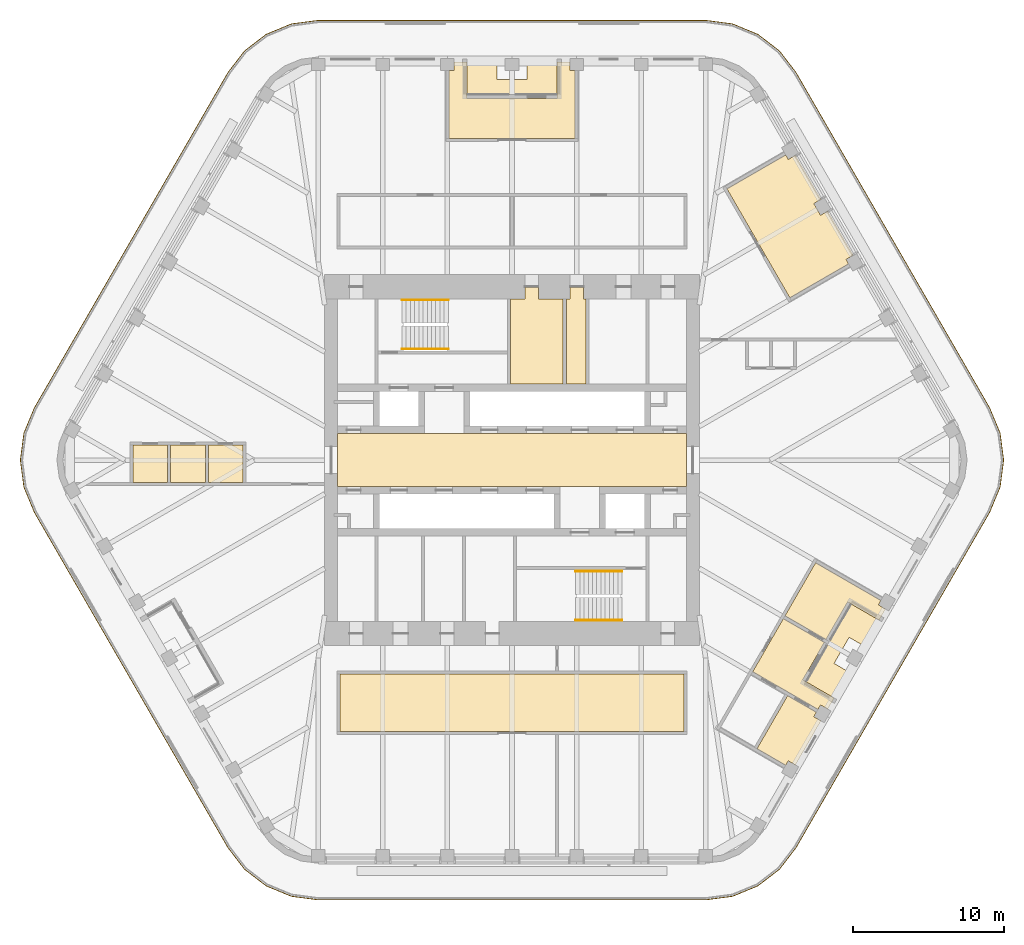
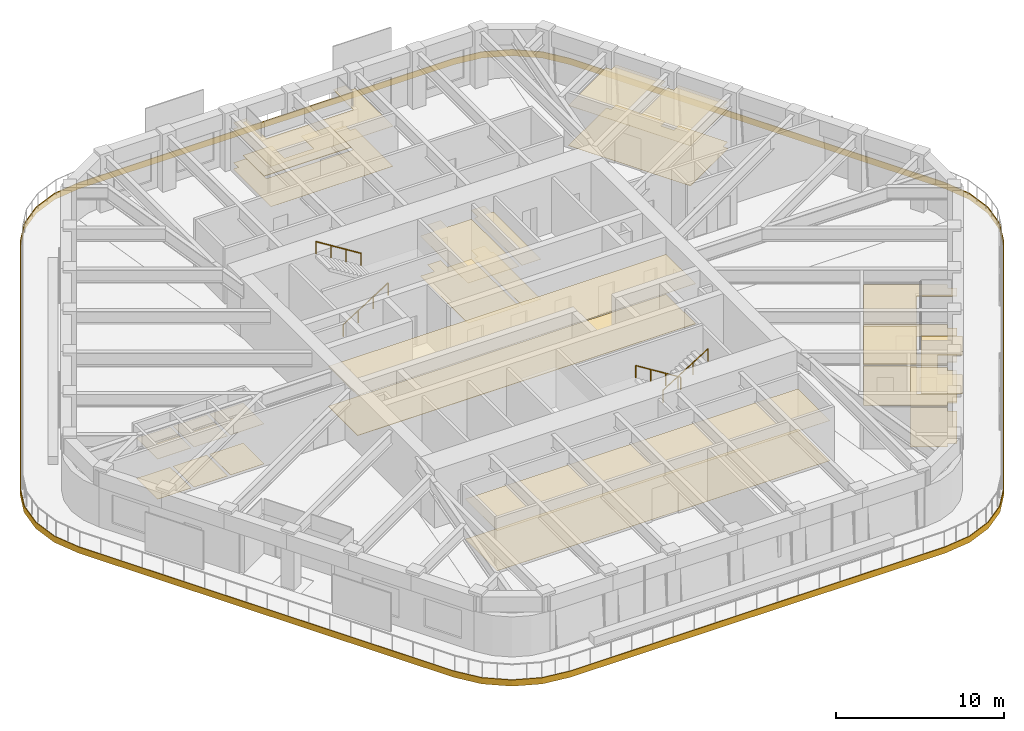
# One storey, part 18 of 19: 11 coverings, 4 railings.
"""IFC4 building model written with IfcOpenShell, lengths in metres."""

from ifc_helpers import new_model, si_unit, direction, frame, origin, origin_2d, place, context, subcontext, project, spatial, polyline, circle, outline, extrude, material, layer, layer_set, type_object, element, save


model = new_model("IFC4")

# Units and contexts
model_context = context("Model", 3, precision=1e-05, world=origin(), true_north=direction((0.0, 1.0)))
body_context = subcontext(model_context, "Body", "Model", "MODEL_VIEW")
ifc_project = project(units=[si_unit("LENGTHUNIT", "METRE"), si_unit("AREAUNIT", "SQUARE_METRE"), si_unit("VOLUMEUNIT", "CUBIC_METRE"), si_unit("PLANEANGLEUNIT", "RADIAN"), si_unit("MASSUNIT", "GRAM", prefix="KILO")], contexts=[model_context])

# Site, building, storey
site_placement = place(None, origin())
site = spatial("IfcSite", under=ifc_project, at=site_placement, CompositionType="ELEMENT")
building_placement = place(site_placement, origin())
building = spatial("IfcBuilding", under=site, at=building_placement, Name="Tarfa Lantern Tower", CompositionType="ELEMENT")
storey_placement = place(building_placement, frame((0.0, 0.0, 361.89990234375)))
storey = spatial("IfcBuildingStorey", under=building, at=storey_placement, Name="L82", CompositionType="ELEMENT", Elevation=361.89990234375)

# Coverings
ifc_material_1 = material(Name="Mineral fibre acoustic tile on suspension grid", Category="finish")
ifc_layer_1 = layer(ifc_material_1, 0.02001953125)
ifc_layer_set_1 = layer_set([ifc_layer_1], Name="CL1 ACOUSTIC TILE CEILING 20")
covering_type_1 = type_object("IfcCoveringType", Name="CL1 ACOUSTIC TILE CEILING 20", PredefinedType="CEILING", material=ifc_layer_set_1)
covering_1_placement = place(storey_placement, frame((0.0, 0.0, 2.900146484375)))
element("IfcCovering", 1, at=covering_1_placement, inside=storey, type_object=covering_type_1, Name="Ceiling L82 CL1", PredefinedType="CEILING", context=body_context, shape_type="SweptSolid", body=[
    extrude(outline(polyline([(4.18212890625, 21.35009765625), (-4.18212890625, 21.35009765625), (-4.18212890625, 25.85009765625), (-3.83203125, 25.85009765625), (-3.83203125, 26.39990234375), (-2.98193359375, 26.39990234375), (-2.98193359375, 24.0), (2.98193359375, 24.0), (2.98193359375, 26.39990234375), (3.83203125, 26.39990234375), (3.83203125, 25.85009765625), (4.18212890625, 25.85009765625), (4.18212890625, 21.35009765625)])), origin(), (0.0, 0.0, 1.0), 0.02001953125),
    extrude(outline(polyline([(14.257568359375, 18.005126953125), (18.15478515625, 20.255126953125), (18.329833984375, 19.951904296875), (18.80615234375, 20.22705078125), (20.4970703125, 17.298095703125), (20.020751953125, 17.02294921875), (20.470703125, 16.24365234375), (20.947021484375, 16.5185546875), (22.63818359375, 13.589599609375), (22.161865234375, 13.314697265625), (22.336669921875, 13.01171875), (18.439697265625, 10.76171875), (14.257568359375, 18.005126953125)])), origin(), (0.0, 0.0, 1.0), 0.02001953125),
    extrude(outline(polyline([(16.24951171875, -19.155029296875), (18.29052734375, -15.619873046875), (20.19580078125, -16.719970703125), (20.020751953125, -17.02294921875), (20.4970703125, -17.298095703125), (18.80615234375, -20.22705078125), (18.329833984375, -19.951904296875), (18.15478515625, -20.255126953125), (16.24951171875, -19.155029296875)])), origin(), (0.0, 0.0, 1.0), 0.02001953125),
    extrude(outline(polyline([(18.006591796875, -10.51171875), (20.734619140625, -12.086669921875), (19.293701171875, -14.58251953125), (21.3720703125, -15.782470703125), (20.947021484375, -16.5185546875), (20.470703125, -16.24365234375), (20.295654296875, -16.546630859375), (15.965576171875, -14.046630859375), (18.006591796875, -10.51171875)])), origin(), (0.0, 0.0, 1.0), 0.02001953125),
    extrude(outline(polyline([(-20.150146484375, 1.0), (-17.85009765625, 1.0), (-17.85009765625, -1.5), (-20.150146484375, -1.5), (-20.150146484375, 1.0)])), origin(), (0.0, 0.0, 1.0), 0.02001953125),
    extrude(outline(polyline([(-22.650146484375, 1.0), (-20.35009765625, 1.0), (-20.35009765625, -1.5), (-22.650146484375, -1.5), (-22.650146484375, 1.0)])), origin(), (0.0, 0.0, 1.0), 0.02001953125),
    extrude(outline(polyline([(-25.150146484375, 1.0), (-22.85009765625, 1.0), (-22.85009765625, -1.5), (-25.150146484375, -1.5), (-25.150146484375, 1.0)])), origin(), (0.0, 0.0, 1.0), 0.02001953125),
    extrude(outline(polyline([(-11.39990234375, -14.199951171875), (11.39990234375, -14.199951171875), (11.39990234375, -18.0), (-11.39990234375, -18.0), (-11.39990234375, -14.199951171875)])), origin(), (0.0, 0.0, 1.0), 0.02001953125),
    extrude(outline(polyline([(20.147705078125, -6.80322265625), (24.477783203125, -9.30322265625), (24.302734375, -9.6064453125), (24.779052734375, -9.88134765625), (24.35400390625, -10.617431640625), (22.275634765625, -9.41748046875), (20.834716796875, -11.913330078125), (18.106689453125, -10.33837890625), (20.147705078125, -6.80322265625)])), origin(), (0.0, 0.0, 1.0), 0.02001953125),
])
ifc_material_2 = material(Name="Moisture-resistant plasterboard", Category="finish")
ifc_layer_2 = layer(ifc_material_2, 0.014892578125)
ifc_layer_set_2 = layer_set([ifc_layer_2], Name="CL2 MOISTURE-RESISTANT PLASTERBOARD CEILING 15")
covering_type_2 = type_object("IfcCoveringType", Name="CL2 MOISTURE-RESISTANT PLASTERBOARD CEILING 15", PredefinedType="CEILING", material=ifc_layer_set_2)
covering_2_placement = place(storey_placement, frame((0.0, 0.0, 2.900146484375)))
element("IfcCovering", 2, at=covering_2_placement, inside=storey, type_object=covering_type_2, Name="Ceiling L82-05", PredefinedType="CEILING", context=body_context, shape_type="SweptSolid", body=[
    extrude(outline(polyline([(0.85009765625, 10.699951171875), (-0.10009765625, 10.699951171875), (-0.10009765625, 5.050048828125), (3.39990234375, 5.050048828125), (3.39990234375, 10.699951171875), (1.75, 10.699951171875), (1.75, 11.5), (0.85009765625, 11.5), (0.85009765625, 11.5), (0.85009765625, 10.699951171875)])), origin(), (0.0, 0.0, 1.0), 0.014892578125),
])
covering_3_placement = place(storey_placement, frame((0.0, 0.0, 2.900146484375)))
element("IfcCovering", 3, at=covering_3_placement, inside=storey, type_object=covering_type_2, Name="Ceiling L82-06", PredefinedType="CEILING", context=body_context, shape_type="SweptSolid", body=[
    extrude(outline(polyline([(3.60009765625, 5.050048828125), (4.89990234375, 5.050048828125), (4.89990234375, 10.699951171875), (4.75, 10.699951171875), (4.75, 11.5), (3.85009765625, 11.5), (3.85009765625, 10.699951171875), (3.60009765625, 10.699951171875), (3.60009765625, 5.050048828125)])), origin(), (0.0, 0.0, 1.0), 0.014892578125),
])
ifc_material_3 = material(Name="Powder-coated aluminium panel", Category="aluminium")
ifc_layer_3 = layer(ifc_material_3, 0.030029296875)
ifc_layer_set_3 = layer_set([ifc_layer_3], Name="CL3 METAL PANEL CEILING 30")
covering_type_3 = type_object("IfcCoveringType", Name="CL3 METAL PANEL CEILING 30", PredefinedType="CEILING", material=ifc_layer_set_3)
covering_4_placement = place(storey_placement, frame((0.0, 0.0, 2.900146484375)))
element("IfcCovering", 4, at=covering_4_placement, inside=storey, type_object=covering_type_3, Name="Ceiling L82-01", PredefinedType="CEILING", context=body_context, shape_type="SweptSolid", body=[
    extrude(outline(polyline([(-11.574951171875, -1.75), (11.574951171875, -1.75), (11.574951171875, 1.75), (-11.574951171875, 1.75), (-11.574951171875, -1.75)])), origin(), (0.0, 0.0, 1.0), 0.030029296875),
])
ifc_material_4 = material(Name="Nylon carpet tile", Category="finish")
ifc_layer_4 = layer(ifc_material_4, 0.010009765625)
ifc_layer_set_4 = layer_set([ifc_layer_4], Name="FL1 CARPET TILE 10")
covering_type_4 = type_object("IfcCoveringType", Name="FL1 CARPET TILE 10", PredefinedType="FLOORING", material=ifc_layer_set_4)
covering_5_placement = place(storey_placement, origin())
element("IfcCovering", 5, at=covering_5_placement, inside=storey, type_object=covering_type_4, Name="Floor finish L82 FL1", PredefinedType="FLOORING", context=body_context, shape_type="SweptSolid", body=[
    extrude(outline(polyline([(4.18212890625, 21.35009765625), (-4.18212890625, 21.35009765625), (-4.18212890625, 25.85009765625), (-3.83203125, 25.85009765625), (-3.83203125, 26.39990234375), (-2.98193359375, 26.39990234375), (-2.98193359375, 24.0), (2.98193359375, 24.0), (2.98193359375, 26.39990234375), (3.83203125, 26.39990234375), (3.83203125, 25.85009765625), (4.18212890625, 25.85009765625), (4.18212890625, 21.35009765625)])), origin(), (0.0, 0.0, 1.0), 0.010009765625),
    extrude(outline(polyline([(14.257568359375, 18.005126953125), (18.15478515625, 20.255126953125), (18.329833984375, 19.951904296875), (18.80615234375, 20.22705078125), (20.4970703125, 17.298095703125), (20.020751953125, 17.02294921875), (20.470703125, 16.24365234375), (20.947021484375, 16.5185546875), (22.63818359375, 13.589599609375), (22.161865234375, 13.314697265625), (22.336669921875, 13.01171875), (18.439697265625, 10.76171875), (14.257568359375, 18.005126953125)])), origin(), (0.0, 0.0, 1.0), 0.010009765625),
    extrude(outline(polyline([(16.24951171875, -19.155029296875), (18.29052734375, -15.619873046875), (20.19580078125, -16.719970703125), (20.020751953125, -17.02294921875), (20.4970703125, -17.298095703125), (18.80615234375, -20.22705078125), (18.329833984375, -19.951904296875), (18.15478515625, -20.255126953125), (16.24951171875, -19.155029296875)])), origin(), (0.0, 0.0, 1.0), 0.010009765625),
    extrude(outline(polyline([(18.006591796875, -10.51171875), (20.734619140625, -12.086669921875), (19.293701171875, -14.58251953125), (21.3720703125, -15.782470703125), (20.947021484375, -16.5185546875), (20.470703125, -16.24365234375), (20.295654296875, -16.546630859375), (15.965576171875, -14.046630859375), (18.006591796875, -10.51171875)])), origin(), (0.0, 0.0, 1.0), 0.010009765625),
    extrude(outline(polyline([(-20.150146484375, 1.0), (-17.85009765625, 1.0), (-17.85009765625, -1.5), (-20.150146484375, -1.5), (-20.150146484375, 1.0)])), origin(), (0.0, 0.0, 1.0), 0.010009765625),
    extrude(outline(polyline([(-22.650146484375, 1.0), (-20.35009765625, 1.0), (-20.35009765625, -1.5), (-22.650146484375, -1.5), (-22.650146484375, 1.0)])), origin(), (0.0, 0.0, 1.0), 0.010009765625),
    extrude(outline(polyline([(-25.150146484375, 1.0), (-22.85009765625, 1.0), (-22.85009765625, -1.5), (-25.150146484375, -1.5), (-25.150146484375, 1.0)])), origin(), (0.0, 0.0, 1.0), 0.010009765625),
    extrude(outline(polyline([(-11.39990234375, -14.199951171875), (11.39990234375, -14.199951171875), (11.39990234375, -18.0), (-11.39990234375, -18.0), (-11.39990234375, -14.199951171875)])), origin(), (0.0, 0.0, 1.0), 0.010009765625),
    extrude(outline(polyline([(20.147705078125, -6.80322265625), (24.477783203125, -9.30322265625), (24.302734375, -9.6064453125), (24.779052734375, -9.88134765625), (24.35400390625, -10.617431640625), (22.275634765625, -9.41748046875), (20.834716796875, -11.913330078125), (18.106689453125, -10.33837890625), (20.147705078125, -6.80322265625)])), origin(), (0.0, 0.0, 1.0), 0.010009765625),
])
ifc_material_5 = material(Name="Honed limestone flooring", Category="masonry")
ifc_layer_5 = layer(ifc_material_5, 0.030029296875)
ifc_layer_set_5 = layer_set([ifc_layer_5], Name="FL2 STONE FLOORING 30")
covering_type_5 = type_object("IfcCoveringType", Name="FL2 STONE FLOORING 30", PredefinedType="FLOORING", material=ifc_layer_set_5)
covering_6_placement = place(storey_placement, origin())
element("IfcCovering", 6, at=covering_6_placement, inside=storey, type_object=covering_type_5, Name="Floor finish L82-01", PredefinedType="FLOORING", context=body_context, shape_type="SweptSolid", body=[
    extrude(outline(polyline([(-11.574951171875, -1.75), (11.574951171875, -1.75), (11.574951171875, 1.75), (-11.574951171875, 1.75), (-11.574951171875, -1.75)])), origin(), (0.0, 0.0, 1.0), 0.030029296875),
])
ifc_material_6 = material(Name="Porcelain floor tile", Category="finish")
ifc_layer_6 = layer(ifc_material_6, 0.011962890625)
ifc_layer_set_6 = layer_set([ifc_layer_6], Name="FL3 CERAMIC TILE 12")
covering_type_6 = type_object("IfcCoveringType", Name="FL3 CERAMIC TILE 12", PredefinedType="FLOORING", material=ifc_layer_set_6)
covering_7_placement = place(storey_placement, origin())
element("IfcCovering", 7, at=covering_7_placement, inside=storey, type_object=covering_type_6, Name="Floor finish L82-05", PredefinedType="FLOORING", context=body_context, shape_type="SweptSolid", body=[
    extrude(outline(polyline([(0.85009765625, 10.699951171875), (-0.10009765625, 10.699951171875), (-0.10009765625, 5.050048828125), (3.39990234375, 5.050048828125), (3.39990234375, 10.699951171875), (1.75, 10.699951171875), (1.75, 11.5), (0.85009765625, 11.5), (0.85009765625, 11.5), (0.85009765625, 10.699951171875)])), origin(), (0.0, 0.0, 1.0), 0.01220703125),
])
covering_8_placement = place(storey_placement, origin())
element("IfcCovering", 8, at=covering_8_placement, inside=storey, type_object=covering_type_6, Name="Floor finish L82-06", PredefinedType="FLOORING", context=body_context, shape_type="SweptSolid", body=[
    extrude(outline(polyline([(3.60009765625, 5.050048828125), (4.89990234375, 5.050048828125), (4.89990234375, 10.699951171875), (4.75, 10.699951171875), (4.75, 11.5), (3.85009765625, 11.5), (3.85009765625, 10.699951171875), (3.60009765625, 10.699951171875), (3.60009765625, 5.050048828125)])), origin(), (0.0, 0.0, 1.0), 0.01220703125),
])

# Railings
ifc_material_7 = material(Name="Stainless steel", Category="steel")
railing_type = type_object("IfcRailingType", Name="HR1 HANDRAIL 900", PredefinedType="HANDRAIL", material=ifc_material_7)
railing_1_placement = place(storey_placement, frame((-7.300048828125, 7.3798828125, 0.175048828125)))
element("IfcRailing", 9, at=railing_1_placement, inside=storey, type_object=railing_type, Name="Handrail 1", PredefinedType="HANDRAIL", context=body_context, shape_type="SweptSolid", body=[
    extrude(circle(Radius=0.02392578125, at=origin_2d()), frame((0.0, 0.0, 0.8759765625), z_axis=(0.847998304005, 0.0, 0.529998940003), x_axis=(0.0, 1.0, 0.0)), (0.0, 0.0, 1.0), 3.632080078125),
    extrude(circle(Radius=0.02099609375, at=origin_2d()), frame((0.0, 0.0, 0.0), z_axis=(0.0, 0.0, 1.0), x_axis=(0.0, 1.0, 0.0)), (0.0, 0.0, 1.0), 0.851806640625),
    extrude(circle(Radius=0.02099609375, at=origin_2d()), frame((1.026611328125, 0.0, 0.6416015625), z_axis=(0.0, 0.0, 1.0), x_axis=(0.0, 1.0, 0.0)), (0.0, 0.0, 1.0), 0.851806640625),
    extrude(circle(Radius=0.02099609375, at=origin_2d()), frame((2.053466796875, 0.0, 1.283447265625), z_axis=(0.0, 0.0, 1.0), x_axis=(0.0, 1.0, 0.0)), (0.0, 0.0, 1.0), 0.851806640625),
    extrude(circle(Radius=0.02099609375, at=origin_2d()), frame((3.080078125, 0.0, 1.925048828125), z_axis=(0.0, 0.0, 1.0), x_axis=(0.0, 1.0, 0.0)), (0.0, 0.0, 1.0), 0.851806640625),
])
for number, where, name in (
    (10, (-4.219970703125, 10.6201171875, 2.275146484375), "Handrail 2"),
    (11, (7.300048828125, -7.3798828125, 0.175048828125), "Handrail 1"),
):
    element("IfcRailing", number, at=place(storey_placement, frame(where)), inside=storey, type_object=railing_type, Name=name, PredefinedType="HANDRAIL", context=body_context, shape_type="SweptSolid", body=[
        extrude(circle(Radius=0.02392578125, at=origin_2d()), frame((0.0, 0.0, 0.8759765625), z_axis=(-0.847998304005, 0.0, 0.529998940003), x_axis=(0.0, -1.0, 0.0)), (0.0, 0.0, 1.0), 3.632080078125),
        extrude(circle(Radius=0.02099609375, at=origin_2d()), frame((0.0, 0.0, 0.0), z_axis=(0.0, 0.0, 1.0), x_axis=(0.0, -1.0, 0.0)), (0.0, 0.0, 1.0), 0.851806640625),
        extrude(circle(Radius=0.02099609375, at=origin_2d()), frame((-1.026611328125, 0.0, 0.6416015625), z_axis=(0.0, 0.0, 1.0), x_axis=(0.0, -1.0, 0.0)), (0.0, 0.0, 1.0), 0.851806640625),
        extrude(circle(Radius=0.02099609375, at=origin_2d()), frame((-2.053466796875, 0.0, 1.283447265625), z_axis=(0.0, 0.0, 1.0), x_axis=(0.0, -1.0, 0.0)), (0.0, 0.0, 1.0), 0.851806640625),
        extrude(circle(Radius=0.02099609375, at=origin_2d()), frame((-3.080078125, 0.0, 1.925048828125), z_axis=(0.0, 0.0, 1.0), x_axis=(0.0, -1.0, 0.0)), (0.0, 0.0, 1.0), 0.851806640625),
    ])
railing_2_placement = place(storey_placement, frame((4.219970703125, -10.6201171875, 2.275146484375)))
element("IfcRailing", 12, at=railing_2_placement, inside=storey, type_object=railing_type, Name="Handrail 2", PredefinedType="HANDRAIL", context=body_context, shape_type="SweptSolid", body=[
    extrude(circle(Radius=0.02392578125, at=origin_2d()), frame((0.0, 0.0, 0.8759765625), z_axis=(0.847998304005, 0.0, 0.529998940003), x_axis=(0.0, 1.0, 0.0)), (0.0, 0.0, 1.0), 3.632080078125),
    extrude(circle(Radius=0.02099609375, at=origin_2d()), frame((0.0, 0.0, 0.0), z_axis=(0.0, 0.0, 1.0), x_axis=(0.0, 1.0, 0.0)), (0.0, 0.0, 1.0), 0.851806640625),
    extrude(circle(Radius=0.02099609375, at=origin_2d()), frame((1.026611328125, 0.0, 0.6416015625), z_axis=(0.0, 0.0, 1.0), x_axis=(0.0, 1.0, 0.0)), (0.0, 0.0, 1.0), 0.851806640625),
    extrude(circle(Radius=0.02099609375, at=origin_2d()), frame((2.053466796875, 0.0, 1.283447265625), z_axis=(0.0, 0.0, 1.0), x_axis=(0.0, 1.0, 0.0)), (0.0, 0.0, 1.0), 0.851806640625),
    extrude(circle(Radius=0.02099609375, at=origin_2d()), frame((3.080078125, 0.0, 1.925048828125), z_axis=(0.0, 0.0, 1.0), x_axis=(0.0, 1.0, 0.0)), (0.0, 0.0, 1.0), 0.851806640625),
])

# Coverings
ifc_material_8 = material(Name="Porcelain pavers on pedestals", Category="ceramic")
ifc_layer_7 = layer(ifc_material_8, 0.0400390625)
ifc_layer_set_7 = layer_set([ifc_layer_7], Name="LP1 LOGGIA PAVING 40")
covering_type_7 = type_object("IfcCoveringType", Name="LP1 LOGGIA PAVING 40", PredefinedType="FLOORING", material=ifc_layer_set_7)
covering_9_placement = place(storey_placement, origin())
element("IfcCovering", 13, at=covering_9_placement, inside=storey, type_object=covering_type_7, Name="Terrace paving N", PredefinedType="FLOORING", context=body_context, shape_type="SweptSolid", body=[
    extrude(outline(polyline([(2.98193359375, 26.75), (2.98193359375, 24.27001953125), (-2.98193359375, 24.27001953125), (-2.98193359375, 26.75), (-1.0, 26.75), (-1.0, 25.25), (1.0, 25.25), (1.0, 26.75), (2.98193359375, 26.75)])), origin(), (0.0, 0.0, 1.0), 0.0400390625),
])
covering_10_placement = place(storey_placement, origin())
element("IfcCovering", 14, at=covering_10_placement, inside=storey, type_object=covering_type_7, Name="Terrace paving SE", PredefinedType="FLOORING", context=body_context, shape_type="SweptSolid", body=[
    extrude(outline(polyline([(21.67529296875, -15.95751953125), (19.52734375, -14.717529296875), (22.509521484375, -9.552490234375), (24.6572265625, -10.79248046875), (23.666259765625, -12.509033203125), (22.3671875, -11.759033203125), (21.3671875, -13.490966796875), (22.666259765625, -14.240966796875), (21.67529296875, -15.95751953125)])), origin(), (0.0, 0.0, 1.0), 0.0400390625),
])
ifc_material_9 = material(Name="Limestone cladding on brackets", Category="masonry")
ifc_layer_8 = layer(ifc_material_9, 0.050048828125)
ifc_layer_set_8 = layer_set([ifc_layer_8], Name="SB1 STONE BAND CLADDING 50")
covering_type_8 = type_object("IfcCoveringType", Name="SB1 STONE BAND CLADDING 50", PredefinedType="CLADDING", material=ifc_layer_set_8)
covering_11_placement = place(storey_placement, frame((0.0, 0.0, -0.39990234375)))
element("IfcCovering", 15, at=covering_11_placement, inside=storey, type_object=covering_type_8, Name="Stone band", PredefinedType="CLADDING", context=body_context, shape_type="SweptSolid", body=[
    extrude(outline(polyline([(31.7109375, 3.47509765625), (18.864990234375, 25.72509765625), (17.760498046875, 27.164306640625), (16.321044921875, 28.268798828125), (14.644775390625, 28.963134765625), (12.845947265625, 29.199951171875), (-12.845947265625, 29.199951171875), (-14.644775390625, 28.963134765625), (-16.321044921875, 28.268798828125), (-17.760498046875, 27.164306640625), (-18.864990234375, 25.72509765625), (-31.7109375, 3.47509765625), (-32.4052734375, 1.798828125), (-32.64208984375, 0.0), (-32.4052734375, -1.798828125), (-31.7109375, -3.47509765625), (-18.864990234375, -25.72509765625), (-17.760498046875, -27.164306640625), (-16.321044921875, -28.268798828125), (-14.644775390625, -28.963134765625), (-12.845947265625, -29.199951171875), (12.845947265625, -29.199951171875), (14.644775390625, -28.963134765625), (16.321044921875, -28.268798828125), (17.760498046875, -27.164306640625), (18.864990234375, -25.72509765625), (31.7109375, -3.47509765625), (32.4052734375, -1.798828125), (32.64208984375, 0.0), (32.4052734375, 1.798828125), (31.7109375, 3.47509765625)]), holes=[polyline([(31.667724609375, 3.449951171875), (18.821533203125, 25.699951171875), (17.72509765625, 27.129150390625), (16.296142578125, 28.2255859375), (14.6318359375, 28.914794921875), (12.845947265625, 29.14990234375), (-12.845947265625, 29.14990234375), (-14.6318359375, 28.914794921875), (-16.296142578125, 28.2255859375), (-17.72509765625, 27.129150390625), (-18.821533203125, 25.699951171875), (-31.667724609375, 3.449951171875), (-32.35693359375, 1.785888671875), (-32.592041015625, 0.0), (-32.35693359375, -1.785888671875), (-31.667724609375, -3.449951171875), (-18.821533203125, -25.699951171875), (-17.72509765625, -27.129150390625), (-16.296142578125, -28.2255859375), (-14.6318359375, -28.914794921875), (-12.845947265625, -29.14990234375), (12.845947265625, -29.14990234375), (14.6318359375, -28.914794921875), (16.296142578125, -28.2255859375), (17.72509765625, -27.129150390625), (18.821533203125, -25.699951171875), (31.667724609375, -3.449951171875), (32.35693359375, -1.785888671875), (32.592041015625, 0.0), (32.35693359375, 1.785888671875), (31.667724609375, 3.449951171875)])]), origin(), (0.0, 0.0, 1.0), 0.449951171875),
])

save(model, "model.ifc")
